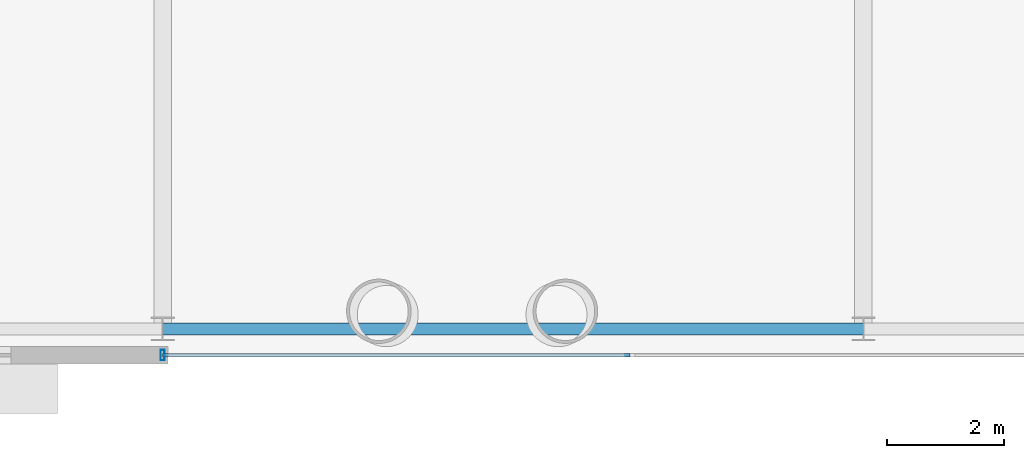
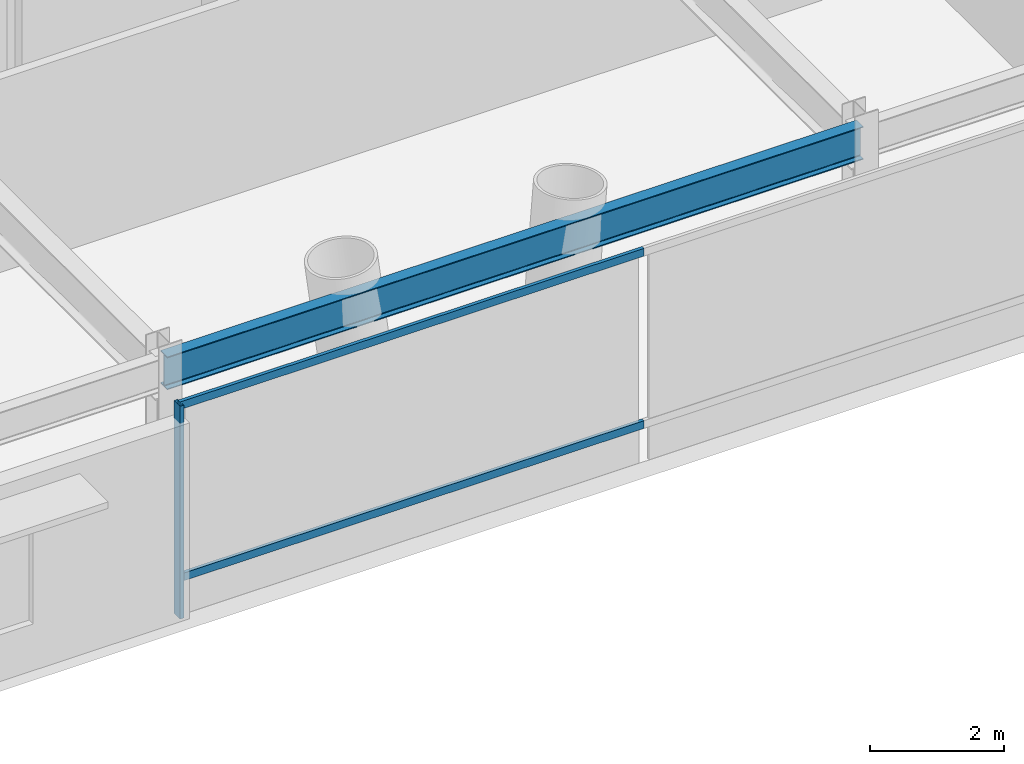
# One storey, part 6 of 26: 3 members, 1 beam, 1 element without a shape of its own.
"""IFC4 building model written with IfcOpenShell, lengths in metres."""

from ifc_helpers import new_model, si_unit, direction, frame, origin, origin_2d, place, context, subcontext, project, spatial, hollow_rectangle, i_section, extrude, material, layer, layer_set, material_profile, profile_set, type_object, element, aggregate, save


model = new_model("IFC4")

# Units and contexts
model_context = context("Model", 3, precision=1e-05, world=origin(), true_north=direction((0.0, 1.0)))
body_context = subcontext(model_context, "Body", "Model", "MODEL_VIEW")
ifc_project = project(units=[si_unit("LENGTHUNIT", "METRE"), si_unit("AREAUNIT", "SQUARE_METRE"), si_unit("VOLUMEUNIT", "CUBIC_METRE"), si_unit("PLANEANGLEUNIT", "RADIAN"), si_unit("MASSUNIT", "GRAM", prefix="KILO")], contexts=[model_context])

# Site, building, storey
site_placement = place(None, origin())
site = spatial("IfcSite", under=ifc_project, at=site_placement, CompositionType="ELEMENT")
building_placement = place(site_placement, origin())
building = spatial("IfcBuilding", under=site, at=building_placement, Name="Veldorina Hangang Commons", CompositionType="ELEMENT")
storey_placement = place(building_placement, frame((0.0, 0.0, 5.199951171875)))
storey = spatial("IfcBuildingStorey", under=building, at=storey_placement, Name="L01", CompositionType="ELEMENT", Elevation=5.199951171875)

# Beam
ifc_material_1 = material(Name="Steel SM420-TMC", Category="steel")
ifc_material_profile_1 = material_profile(ifc_material_1, i_section(OverallWidth=0.199951171875, OverallDepth=0.60009765625, WebThickness=0.010986328125, FlangeThickness=0.01708984375, FilletRadius=0.01806640625, at=origin_2d()), Name="H-600x200x11x17")
ifc_profile_set_1 = profile_set([ifc_material_profile_1], Name="Steel SM420-TMC")
beam_type = type_object("IfcBeamType", Name="BM-SPN600", PredefinedType="SPANDREL", material=ifc_profile_set_1)
beam_placement = place(storey_placement, frame((20.0, 3.449951171875, 4.199951171875), z_axis=(1.0, 0.0, 0.0), x_axis=(0.0, 1.0, 0.0)))
element("IfcBeam", 1, at=beam_placement, inside=storey, type_object=beam_type, Name="L01 south spandrel beam 2", PredefinedType="SPANDREL", context=body_context, shape_type="SweptSolid", body=[
    extrude(i_section(OverallWidth=0.199951171875, OverallDepth=0.60009765625, WebThickness=0.010986328125, FlangeThickness=0.01708984375, FilletRadius=0.01806640625, at=origin_2d()), origin(), (0.0, 0.0, 1.0), 12.0),
])

# Curtain wall, members
ifc_material_2 = material(Name="Glass Low-E Triple IGU", Category="glass")
ifc_layer = layer(ifc_material_2, 0.179931640625)
ifc_layer_set = layer_set([ifc_layer], Name="Glass Low-E Triple IGU")
curtain_wall_type = type_object("IfcCurtainWallType", Name="CW-SYS-POD", PredefinedType="NOTDEFINED", material=ifc_layer_set)
curtain_wall_placement = place(storey_placement, origin())
curtain_wall = element("IfcCurtainWall", 2, at=curtain_wall_placement, inside=storey, type_object=curtain_wall_type, Name="L01 unitised curtain wall CW-L01-S-CTR", PredefinedType="NOTDEFINED")
ifc_material_3 = material(Name="Aluminium Anodized AA6063-T6", Category="aluminium")
ifc_material_profile_2 = material_profile(ifc_material_3, hollow_rectangle(XDim=0.070068359375, YDim=0.179931640625, WallThickness=0.00390625, at=origin_2d()), Name="ALU-RHS-180x70x4")
ifc_profile_set_2 = profile_set([ifc_material_profile_2], Name="Aluminium Anodized AA6063-T6")
member_type_1 = type_object("IfcMemberType", Name="CW-MUL-180", PredefinedType="MULLION", material=ifc_profile_set_2)
member_1_placement = place(storey_placement, frame((20.0, 3.0, 0.0), z_axis=(0.0, 0.0, 1.0), x_axis=(1.0, 0.0, 0.0)))
member_1 = element("IfcMember", 3, at=member_1_placement, type_object=member_type_1, Name="CW-L01-S-CTR vertical mullion 1", PredefinedType="MULLION", context=body_context, shape_type="SweptSolid", body=[
    extrude(hollow_rectangle(XDim=0.070068359375, YDim=0.179931640625, WallThickness=0.00390625, at=origin_2d()), origin(), (0.0, 0.0, 1.0), 3.880126953125),
])
ifc_material_profile_3 = material_profile(ifc_material_3, hollow_rectangle(XDim=0.06005859375, YDim=0.139892578125, WallThickness=0.00341796875, at=origin_2d()), Name="ALU-RHS-140x60x3.5")
ifc_profile_set_3 = profile_set([ifc_material_profile_3], Name="Aluminium Anodized AA6063-T6")
member_type_2 = type_object("IfcMemberType", Name="CW-TRN-140", PredefinedType="USERDEFINED", material=ifc_profile_set_3)
member_2_placement = place(storey_placement, frame((20.0, 3.0, 0.699951171875), z_axis=(1.0, 0.0, 0.0), x_axis=(0.0, 1.0, 0.0)))
member_2 = element("IfcMember", 4, at=member_2_placement, type_object=member_type_2, Name="CW-L01-S-CTR facet 1 transom 1", ObjectType="TRANSOM", PredefinedType="USERDEFINED", context=body_context, shape_type="SweptSolid", body=[
    extrude(hollow_rectangle(XDim=0.06005859375, YDim=0.139892578125, WallThickness=0.00341796875, at=origin_2d()), origin(), (0.0, 0.0, 1.0), 8.0),
])
member_3_placement = place(storey_placement, frame((20.0, 3.0, 3.840087890625), z_axis=(1.0, 0.0, 0.0), x_axis=(0.0, 1.0, 0.0)))
member_3 = element("IfcMember", 5, at=member_3_placement, type_object=member_type_2, Name="CW-L01-S-CTR facet 1 transom 2", ObjectType="TRANSOM", PredefinedType="USERDEFINED", context=body_context, shape_type="SweptSolid", body=[
    extrude(hollow_rectangle(XDim=0.06005859375, YDim=0.139892578125, WallThickness=0.00341796875, at=origin_2d()), origin(), (0.0, 0.0, 1.0), 8.0),
])
aggregate(curtain_wall, [member_1, member_2, member_3])

save(model, "model.ifc")
